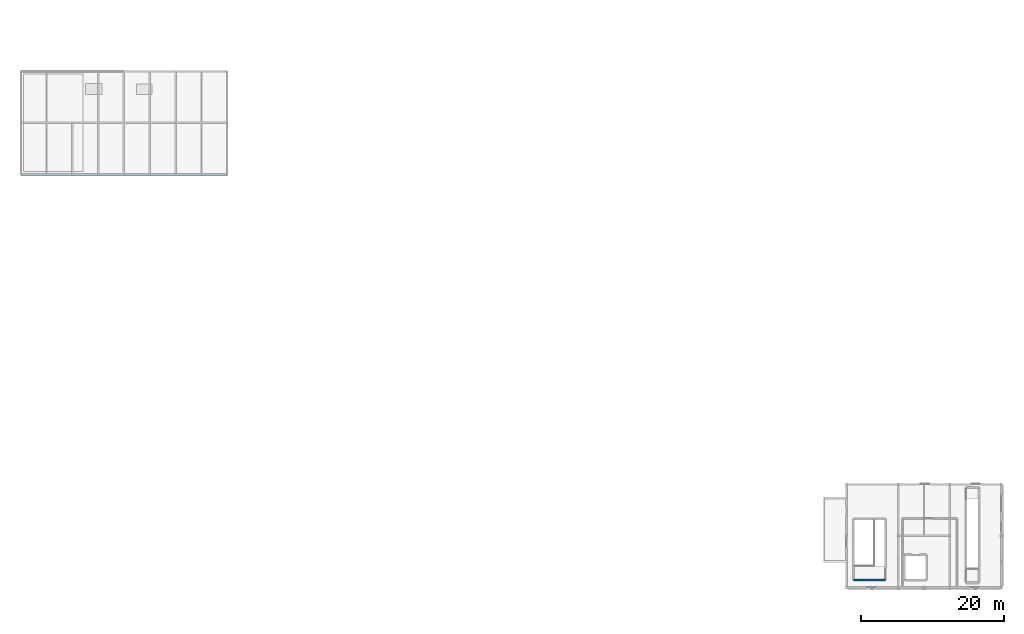
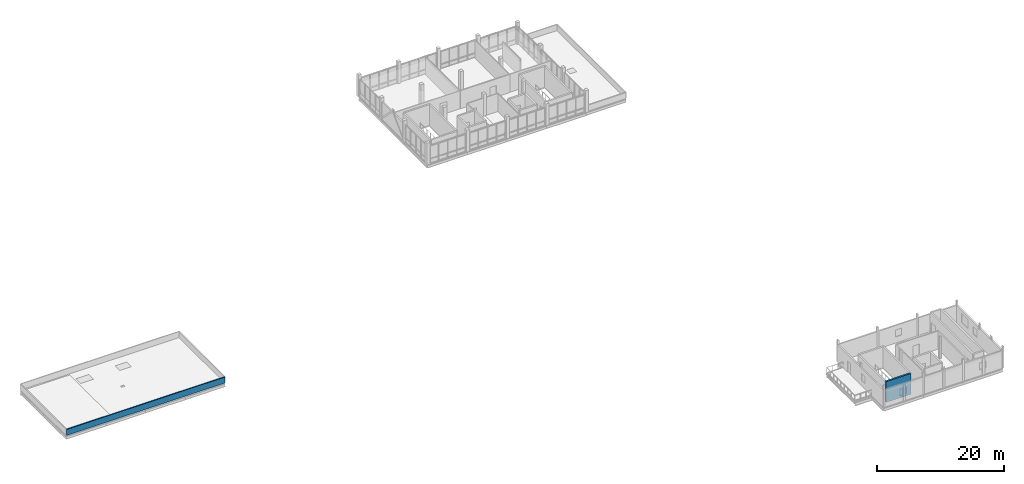
# One storey, part 21 of 28: 2 walls.
"""IFC4 building model written with IfcOpenShell, lengths in metres."""

from ifc_helpers import new_model, si_unit, direction, frame, frame_2d, origin, place, context, subcontext, project, spatial, rectangle, extrude, material, layer, layer_set, type_object, element, save


model = new_model("IFC4")

# Units and contexts
model_context = context("Model", 3, precision=1e-05, world=origin(), true_north=direction((0.0, 1.0)))
body_context = subcontext(model_context, "Body", "Model", "MODEL_VIEW")
ifc_project = project(units=[si_unit("LENGTHUNIT", "METRE"), si_unit("AREAUNIT", "SQUARE_METRE"), si_unit("VOLUMEUNIT", "CUBIC_METRE"), si_unit("PLANEANGLEUNIT", "RADIAN"), si_unit("MASSUNIT", "GRAM", prefix="KILO")], contexts=[model_context])

# Site, building, storey
site_placement = place(None, origin())
site = spatial("IfcSite", under=ifc_project, at=site_placement, CompositionType="ELEMENT")
building_placement = place(site_placement, origin())
building = spatial("IfcBuilding", under=site, at=building_placement, Name="Yarey Park Central Fire Station", CompositionType="ELEMENT")
storey_placement = place(building_placement, frame((0.0, 0.0, 22.199951171875)))
storey = spatial("IfcBuildingStorey", under=building, at=storey_placement, Name="L06", CompositionType="ELEMENT", Elevation=22.199951171875)

# Walls
ifc_material_1 = material(Name="Concrete C35/45", Category="concrete")
ifc_layer_1 = layer(ifc_material_1, 0.18505859375)
ifc_layer_set_1 = layer_set([ifc_layer_1], Name="Concrete C35/45")
wall_type_1 = type_object("IfcWallType", Name="ENV_WALL_PAR185", PredefinedType="PARAPET", material=ifc_layer_set_1)
wall_1_placement = place(storey_placement, frame((28.800048828125, 57.60009765625, 0.0), z_axis=(0.0, 0.0, 1.0), x_axis=(1.0, 0.0, 0.0)))
element("IfcWall", 1, at=wall_1_placement, inside=storey, type_object=wall_type_1, Name="PAR_L06_29", PredefinedType="PARAPET", context=body_context, shape_type="SweptSolid", body=[
    extrude(rectangle(XDim=28.800048828125, YDim=0.18505859375, at=frame_2d((14.39990234375, 0.0))), origin(), (0.0, 0.0, 1.0), 1.150146484375),
])
ifc_material_2 = material(Name="Concrete C40/50", Category="concrete")
ifc_layer_2 = layer(ifc_material_2, 0.27001953125)
ifc_layer_set_2 = layer_set([ifc_layer_2], Name="Concrete C40/50")
wall_type_2 = type_object("IfcWallType", Name="INT_CORE_RC270", PredefinedType="SHEAR", material=ifc_layer_set_2)
wall_2_placement = place(storey_placement, frame((144.949951171875, 1.050048828125, 0.0), z_axis=(0.0, 0.0, 1.0), x_axis=(1.0, 0.0, 0.0)))
element("IfcWall", 2, at=wall_2_placement, inside=storey, type_object=wall_type_2, Name="CWALL_C5_L06_S", PredefinedType="SHEAR", context=body_context, shape_type="SweptSolid", body=[
    extrude(rectangle(XDim=4.5, YDim=0.300048828125, at=frame_2d((2.25, 0.0))), origin(), (0.0, 0.0, 1.0), 3.989990234375),
])

save(model, "model.ifc")
